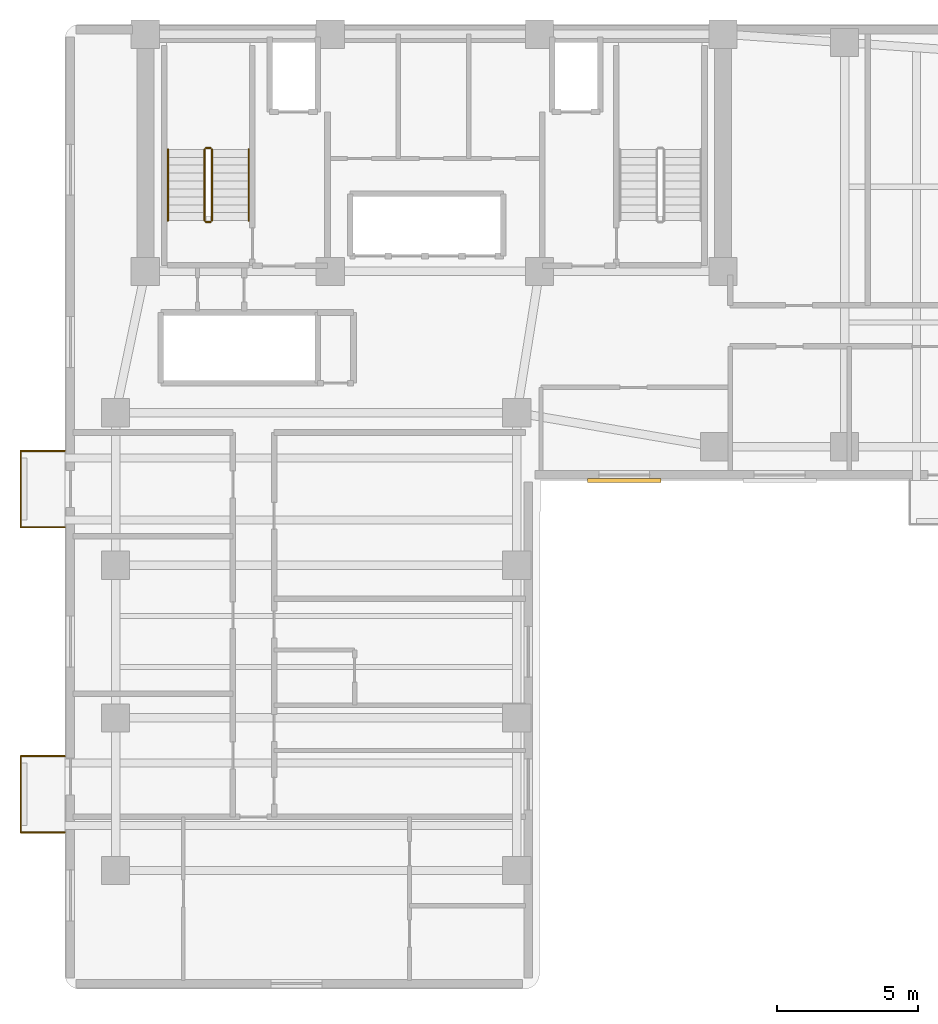
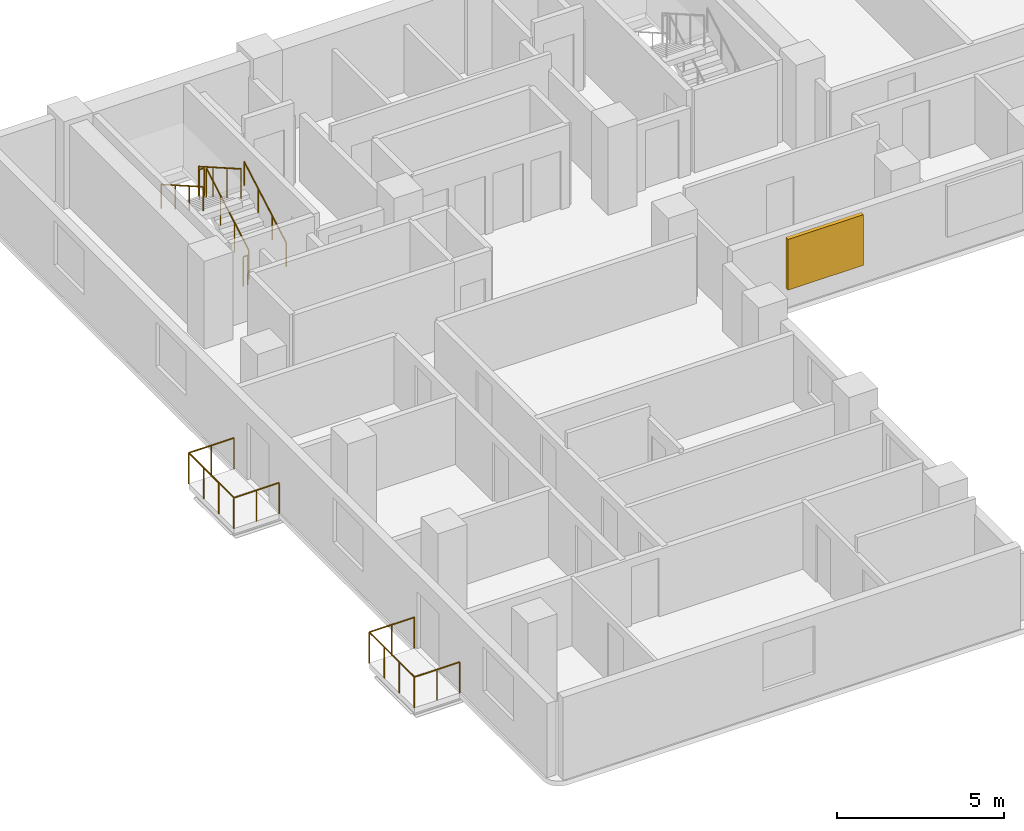
# One storey, part 6 of 7: 12 railings, 1 shading device.
"""IFC4 building model written with IfcOpenShell, lengths in metres."""

from ifc_helpers import new_model, si_unit, direction, frame, origin, origin_2d, place, context, subcontext, project, spatial, rectangle, circle, extrude, material, layer, layer_set, type_object, element, save


model = new_model("IFC4")

# Units and contexts
model_context = context("Model", 3, precision=1e-05, world=origin(), true_north=direction((0.0, 1.0)))
body_context = subcontext(model_context, "Body", "Model", "MODEL_VIEW")
ifc_project = project(units=[si_unit("LENGTHUNIT", "METRE"), si_unit("AREAUNIT", "SQUARE_METRE"), si_unit("VOLUMEUNIT", "CUBIC_METRE"), si_unit("PLANEANGLEUNIT", "RADIAN"), si_unit("MASSUNIT", "GRAM", prefix="KILO")], contexts=[model_context])

# Site, building, storey
site_placement = place(None, origin())
site = spatial("IfcSite", under=ifc_project, at=site_placement, CompositionType="ELEMENT")
building_placement = place(site_placement, origin())
building = spatial("IfcBuilding", under=site, at=building_placement, Name="Kuzgunbayir Cultural Tower", CompositionType="ELEMENT")
storey_placement = place(building_placement, frame((0.0, 0.0, 142.60009765625)))
storey = spatial("IfcBuildingStorey", under=building, at=storey_placement, Name="L41", CompositionType="ELEMENT", Elevation=142.60009765625)

# Railings
ifc_material_1 = material(Name="Laminated Glass and Stainless Steel", Category="steel")
ifc_layer_1 = layer(ifc_material_1, 0.080078125)
ifc_layer_set_1 = layer_set([ifc_layer_1], Name="Laminated Glass and Stainless Steel")
railing_type_1 = type_object("IfcRailingType", Name="RLG-BAL-115", PredefinedType="BALUSTRADE", material=ifc_layer_set_1)
railing_1_placement = place(storey_placement, frame((3.60009765625, 13.949951171875, 0.0)))
element("IfcRailing", 1, at=railing_1_placement, inside=storey, type_object=railing_type_1, Name="L41 Balcony Guard BAL-L41-WA1 Segment 1", PredefinedType="BALUSTRADE", context=body_context, shape_type="SweptSolid", body=[
    extrude(circle(Radius=0.02392578125, at=origin_2d()), frame((0.0, 0.0, 1.1259765625), z_axis=(-1.0, 0.0, 0.0), x_axis=(0.0, -1.0, 0.0)), (0.0, 0.0, 1.0), 1.56005859375),
    extrude(circle(Radius=0.02099609375, at=origin_2d()), origin(), (0.0, 0.0, 1.0), 1.101806640625),
    extrude(circle(Radius=0.02099609375, at=origin_2d()), frame((-0.780029296875, 0.0, 0.0)), (0.0, 0.0, 1.0), 1.101806640625),
    extrude(circle(Radius=0.02099609375, at=origin_2d()), frame((-1.56005859375, 0.0, 0.0)), (0.0, 0.0, 1.0), 1.101806640625),
])
railing_2_placement = place(storey_placement, frame((2.0400390625, 13.949951171875, 0.0)))
element("IfcRailing", 2, at=railing_2_placement, inside=storey, type_object=railing_type_1, Name="L41 Balcony Guard BAL-L41-WA1 Segment 2", PredefinedType="BALUSTRADE", context=body_context, shape_type="SweptSolid", body=[
    extrude(circle(Radius=0.02392578125, at=origin_2d()), frame((0.0, 0.0, 1.1259765625), z_axis=(0.0, 1.0, 0.0), x_axis=(-1.0, 0.0, 0.0)), (0.0, 0.0, 1.0), 2.699951171875),
    extrude(circle(Radius=0.02099609375, at=origin_2d()), origin(), (0.0, 0.0, 1.0), 1.101806640625),
    extrude(circle(Radius=0.02099609375, at=origin_2d()), frame((0.0, 0.89990234375, 0.0)), (0.0, 0.0, 1.0), 1.101806640625),
    extrude(circle(Radius=0.02099609375, at=origin_2d()), frame((0.0, 1.800048828125, 0.0)), (0.0, 0.0, 1.0), 1.101806640625),
    extrude(circle(Radius=0.02099609375, at=origin_2d()), frame((0.0, 2.699951171875, 0.0)), (0.0, 0.0, 1.0), 1.101806640625),
])
railing_3_placement = place(storey_placement, frame((2.0400390625, 16.64990234375, 0.0)))
element("IfcRailing", 3, at=railing_3_placement, inside=storey, type_object=railing_type_1, Name="L41 Balcony Guard BAL-L41-WA1 Segment 3", PredefinedType="BALUSTRADE", context=body_context, shape_type="SweptSolid", body=[
    extrude(circle(Radius=0.02392578125, at=origin_2d()), frame((0.0, 0.0, 1.1259765625), z_axis=(1.0, 0.0, 0.0), x_axis=(0.0, 1.0, 0.0)), (0.0, 0.0, 1.0), 1.56005859375),
    extrude(circle(Radius=0.02099609375, at=origin_2d()), origin(), (0.0, 0.0, 1.0), 1.101806640625),
    extrude(circle(Radius=0.02099609375, at=origin_2d()), frame((0.780029296875, 0.0, 0.0)), (0.0, 0.0, 1.0), 1.101806640625),
    extrude(circle(Radius=0.02099609375, at=origin_2d()), frame((1.56005859375, 0.0, 0.0)), (0.0, 0.0, 1.0), 1.101806640625),
])
railing_4_placement = place(storey_placement, frame((3.60009765625, 24.75, 0.0)))
element("IfcRailing", 4, at=railing_4_placement, inside=storey, type_object=railing_type_1, Name="L41 Balcony Guard BAL-L41-WA3 Segment 1", PredefinedType="BALUSTRADE", context=body_context, shape_type="SweptSolid", body=[
    extrude(circle(Radius=0.02392578125, at=origin_2d()), frame((0.0, 0.0, 1.1259765625), z_axis=(-1.0, 0.0, 0.0), x_axis=(0.0, -1.0, 0.0)), (0.0, 0.0, 1.0), 1.56005859375),
    extrude(circle(Radius=0.02099609375, at=origin_2d()), origin(), (0.0, 0.0, 1.0), 1.101806640625),
    extrude(circle(Radius=0.02099609375, at=origin_2d()), frame((-0.780029296875, 0.0, 0.0)), (0.0, 0.0, 1.0), 1.101806640625),
    extrude(circle(Radius=0.02099609375, at=origin_2d()), frame((-1.56005859375, 0.0, 0.0)), (0.0, 0.0, 1.0), 1.101806640625),
])
railing_5_placement = place(storey_placement, frame((2.0400390625, 24.75, 0.0)))
element("IfcRailing", 5, at=railing_5_placement, inside=storey, type_object=railing_type_1, Name="L41 Balcony Guard BAL-L41-WA3 Segment 2", PredefinedType="BALUSTRADE", context=body_context, shape_type="SweptSolid", body=[
    extrude(circle(Radius=0.02392578125, at=origin_2d()), frame((0.0, 0.0, 1.1259765625), z_axis=(0.0, 1.0, 0.0), x_axis=(-1.0, 0.0, 0.0)), (0.0, 0.0, 1.0), 2.699951171875),
    extrude(circle(Radius=0.02099609375, at=origin_2d()), origin(), (0.0, 0.0, 1.0), 1.101806640625),
    extrude(circle(Radius=0.02099609375, at=origin_2d()), frame((0.0, 0.89990234375, 0.0)), (0.0, 0.0, 1.0), 1.101806640625),
    extrude(circle(Radius=0.02099609375, at=origin_2d()), frame((0.0, 1.800048828125, 0.0)), (0.0, 0.0, 1.0), 1.101806640625),
    extrude(circle(Radius=0.02099609375, at=origin_2d()), frame((0.0, 2.699951171875, 0.0)), (0.0, 0.0, 1.0), 1.101806640625),
])
railing_6_placement = place(storey_placement, frame((2.0400390625, 27.449951171875, 0.0)))
element("IfcRailing", 6, at=railing_6_placement, inside=storey, type_object=railing_type_1, Name="L41 Balcony Guard BAL-L41-WA3 Segment 3", PredefinedType="BALUSTRADE", context=body_context, shape_type="SweptSolid", body=[
    extrude(circle(Radius=0.02392578125, at=origin_2d()), frame((0.0, 0.0, 1.1259765625), z_axis=(1.0, 0.0, 0.0), x_axis=(0.0, 1.0, 0.0)), (0.0, 0.0, 1.0), 1.56005859375),
    extrude(circle(Radius=0.02099609375, at=origin_2d()), origin(), (0.0, 0.0, 1.0), 1.101806640625),
    extrude(circle(Radius=0.02099609375, at=origin_2d()), frame((0.780029296875, 0.0, 0.0)), (0.0, 0.0, 1.0), 1.101806640625),
    extrude(circle(Radius=0.02099609375, at=origin_2d()), frame((1.56005859375, 0.0, 0.0)), (0.0, 0.0, 1.0), 1.101806640625),
])
ifc_material_2 = material(Name="Brushed Stainless Steel", Category="steel")
ifc_layer_2 = layer(ifc_material_2, 0.050048828125)
ifc_layer_set_2 = layer_set([ifc_layer_2], Name="Brushed Stainless Steel")
railing_type_2 = type_object("IfcRailingType", Name="RLG-STAIR-HANDRAIL", PredefinedType="HANDRAIL", material=ifc_layer_set_2)
railing_7_placement = place(storey_placement, frame((10.110107421875, 35.60009765625, 0.159912109375)))
element("IfcRailing", 7, at=railing_7_placement, inside=storey, type_object=railing_type_2, Name="L41 ST-1 stair handrail 1", PredefinedType="HANDRAIL", context=body_context, shape_type="SweptSolid", body=[
    extrude(circle(Radius=0.02392578125, at=origin_2d()), frame((0.0, 0.0, 0.8759765625), z_axis=(0.0, 0.868253494771, 0.496120820787), x_axis=(-1.0, 0.0, 0.0)), (0.0, 0.0, 1.0), 2.90234375),
    extrude(circle(Radius=0.02099609375, at=origin_2d()), origin(), (0.0, 0.0, 1.0), 0.851806640625),
    extrude(circle(Radius=0.02099609375, at=origin_2d()), frame((0.0, 0.840087890625, 0.47998046875)), (0.0, 0.0, 1.0), 0.851806640625),
    extrude(circle(Radius=0.02099609375, at=origin_2d()), frame((0.0, 1.679931640625, 0.9599609375)), (0.0, 0.0, 1.0), 0.851806640625),
    extrude(circle(Radius=0.02099609375, at=origin_2d()), frame((0.0, 2.52001953125, 1.43994140625)), (0.0, 0.0, 1.0), 0.851806640625),
])
railing_8_placement = place(storey_placement, frame((7.25, 38.1201171875, 1.760009765625)))
element("IfcRailing", 8, at=railing_8_placement, inside=storey, type_object=railing_type_2, Name="L41 ST-1 stair handrail 2", PredefinedType="HANDRAIL", context=body_context, shape_type="SweptSolid", body=[
    extrude(circle(Radius=0.02392578125, at=origin_2d()), frame((0.0, 0.0, 0.8759765625), z_axis=(0.0, -0.868253494771, 0.496120820787), x_axis=(1.0, 0.0, 0.0)), (0.0, 0.0, 1.0), 2.90234375),
    extrude(circle(Radius=0.02099609375, at=origin_2d()), origin(), (0.0, 0.0, 1.0), 0.851806640625),
    extrude(circle(Radius=0.02099609375, at=origin_2d()), frame((0.0, -0.840087890625, 0.47998046875)), (0.0, 0.0, 1.0), 0.851806640625),
    extrude(circle(Radius=0.02099609375, at=origin_2d()), frame((0.0, -1.679931640625, 0.9599609375)), (0.0, 0.0, 1.0), 0.851806640625),
    extrude(circle(Radius=0.02099609375, at=origin_2d()), frame((0.0, -2.52001953125, 1.43994140625)), (0.0, 0.0, 1.0), 0.851806640625),
])
ifc_material_3 = material(Name="Painted Steel Balustrade", Category="steel")
ifc_layer_3 = layer(ifc_material_3, 0.06005859375)
ifc_layer_set_3 = layer_set([ifc_layer_3], Name="Painted Steel Balustrade")
railing_type_3 = type_object("IfcRailingType", Name="RLG-WELL-GUARD", PredefinedType="GUARDRAIL", material=ifc_layer_set_3)
railing_9_placement = place(storey_placement, frame((8.81005859375, 35.60009765625, 0.159912109375)))
element("IfcRailing", 9, at=railing_9_placement, inside=storey, type_object=railing_type_3, Name="L41 ST-1 stair guard 1", PredefinedType="GUARDRAIL", context=body_context, shape_type="SweptSolid", body=[
    extrude(circle(Radius=0.02392578125, at=origin_2d()), frame((0.0, 0.0, 1.076171875), z_axis=(0.0, 0.868253494771, 0.496120820787), x_axis=(-1.0, 0.0, 0.0)), (0.0, 0.0, 1.0), 2.90234375),
    extrude(circle(Radius=0.02099609375, at=origin_2d()), origin(), (0.0, 0.0, 1.0), 1.052001953125),
    extrude(circle(Radius=0.02099609375, at=origin_2d()), frame((0.0, 0.840087890625, 0.47998046875)), (0.0, 0.0, 1.0), 1.052001953125),
    extrude(circle(Radius=0.02099609375, at=origin_2d()), frame((0.0, 1.679931640625, 0.9599609375)), (0.0, 0.0, 1.0), 1.052001953125),
    extrude(circle(Radius=0.02099609375, at=origin_2d()), frame((0.0, 2.52001953125, 1.43994140625)), (0.0, 0.0, 1.0), 1.052001953125),
])
railing_10_placement = place(storey_placement, frame((8.760009765625, 38.169921875, 1.599853515625)))
element("IfcRailing", 10, at=railing_10_placement, inside=storey, type_object=railing_type_3, Name="L41 ST-1 stair guard 2", PredefinedType="GUARDRAIL", context=body_context, shape_type="SweptSolid", body=[
    extrude(circle(Radius=0.02392578125, at=origin_2d()), frame((0.0, 0.0, 1.076171875), z_axis=(-1.0, 0.0, 0.0), x_axis=(0.0, -1.0, 0.0)), (0.0, 0.0, 1.0), 0.159912109375),
    extrude(circle(Radius=0.02099609375, at=origin_2d()), origin(), (0.0, 0.0, 1.0), 1.052001953125),
    extrude(circle(Radius=0.02099609375, at=origin_2d()), frame((-0.159912109375, 0.0, 0.0)), (0.0, 0.0, 1.0), 1.052001953125),
])
railing_11_placement = place(storey_placement, frame((8.550048828125, 38.1201171875, 1.760009765625)))
element("IfcRailing", 11, at=railing_11_placement, inside=storey, type_object=railing_type_3, Name="L41 ST-1 stair guard 3", PredefinedType="GUARDRAIL", context=body_context, shape_type="SweptSolid", body=[
    extrude(circle(Radius=0.02392578125, at=origin_2d()), frame((0.0, 0.0, 1.076171875), z_axis=(0.0, -0.868253494771, 0.496120820787), x_axis=(1.0, 0.0, 0.0)), (0.0, 0.0, 1.0), 2.90234375),
    extrude(circle(Radius=0.02099609375, at=origin_2d()), origin(), (0.0, 0.0, 1.0), 1.052001953125),
    extrude(circle(Radius=0.02099609375, at=origin_2d()), frame((0.0, -0.840087890625, 0.47998046875)), (0.0, 0.0, 1.0), 1.052001953125),
    extrude(circle(Radius=0.02099609375, at=origin_2d()), frame((0.0, -1.679931640625, 0.9599609375)), (0.0, 0.0, 1.0), 1.052001953125),
    extrude(circle(Radius=0.02099609375, at=origin_2d()), frame((0.0, -2.52001953125, 1.43994140625)), (0.0, 0.0, 1.0), 1.052001953125),
])
railing_12_placement = place(storey_placement, frame((8.760009765625, 35.550048828125, 0.0)))
element("IfcRailing", 12, at=railing_12_placement, inside=storey, type_object=railing_type_3, Name="L41 ST-1 stair guard 4", PredefinedType="GUARDRAIL", context=body_context, shape_type="SweptSolid", body=[
    extrude(circle(Radius=0.02392578125, at=origin_2d()), frame((0.0, 0.0, 1.076171875), z_axis=(-1.0, 0.0, 0.0), x_axis=(0.0, -1.0, 0.0)), (0.0, 0.0, 1.0), 0.159912109375),
    extrude(circle(Radius=0.02099609375, at=origin_2d()), origin(), (0.0, 0.0, 1.0), 1.052001953125),
    extrude(circle(Radius=0.02099609375, at=origin_2d()), frame((-0.159912109375, 0.0, 0.0)), (0.0, 0.0, 1.0), 1.052001953125),
])

# Shading device
ifc_material_4 = material(Name="Perforated Bronze-Anodised Aluminium", Category="aluminium")
shading_device_type = type_object("IfcShadingDeviceType", Name="SHD-SOLAR-BRONZE", PredefinedType="JALOUSIE", material=ifc_material_4)
shading_device_placement = place(storey_placement, frame((23.39990234375, 26.39990234375, 0.724853515625), z_axis=(0.0, 0.0, 1.0), x_axis=(1.0, 0.0, 0.0)))
element("IfcShadingDevice", 13, at=shading_device_placement, inside=storey, type_object=shading_device_type, Name="L41 Solar Screen WBS11", PredefinedType="JALOUSIE", context=body_context, shape_type="SweptSolid", body=[
    extrude(rectangle(XDim=2.60009765625, YDim=0.139892578125, at=origin_2d()), origin(), (0.0, 0.0, 1.0), 1.85009765625),
])

save(model, "model.ifc")
